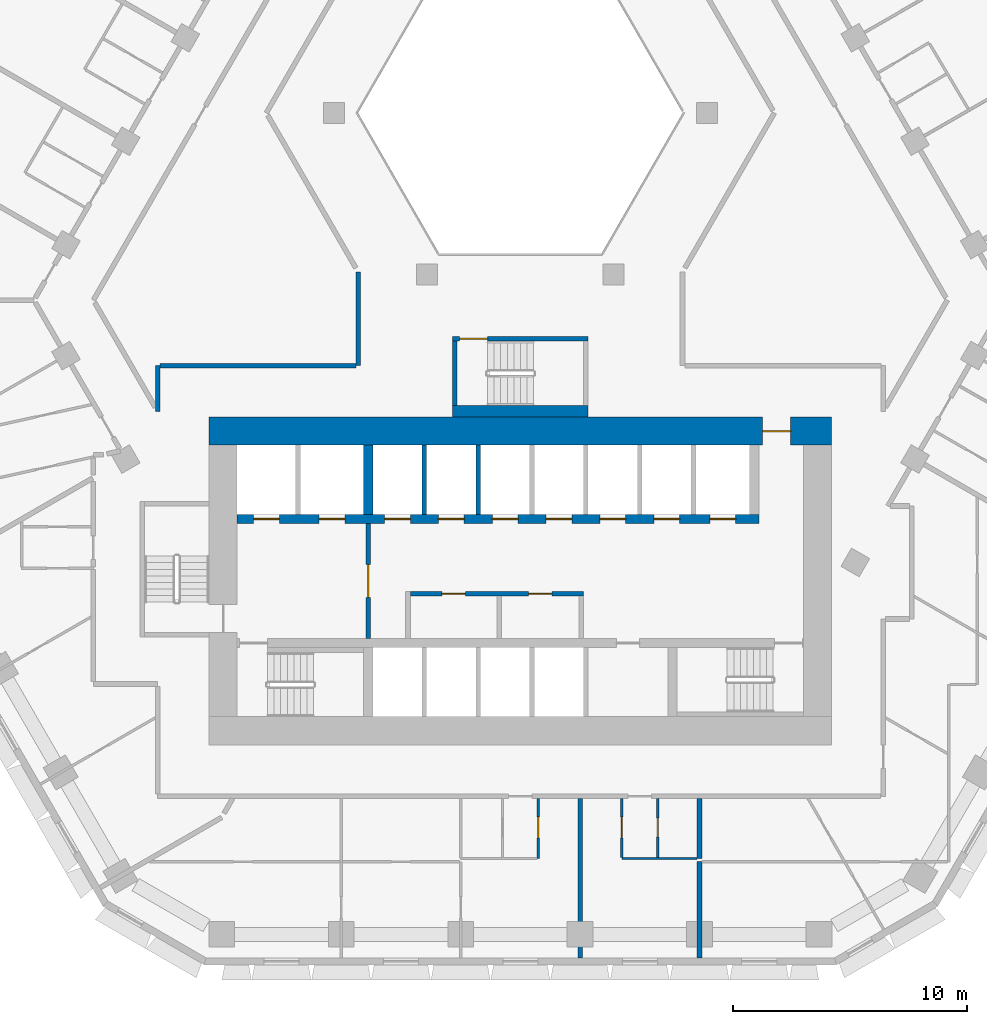
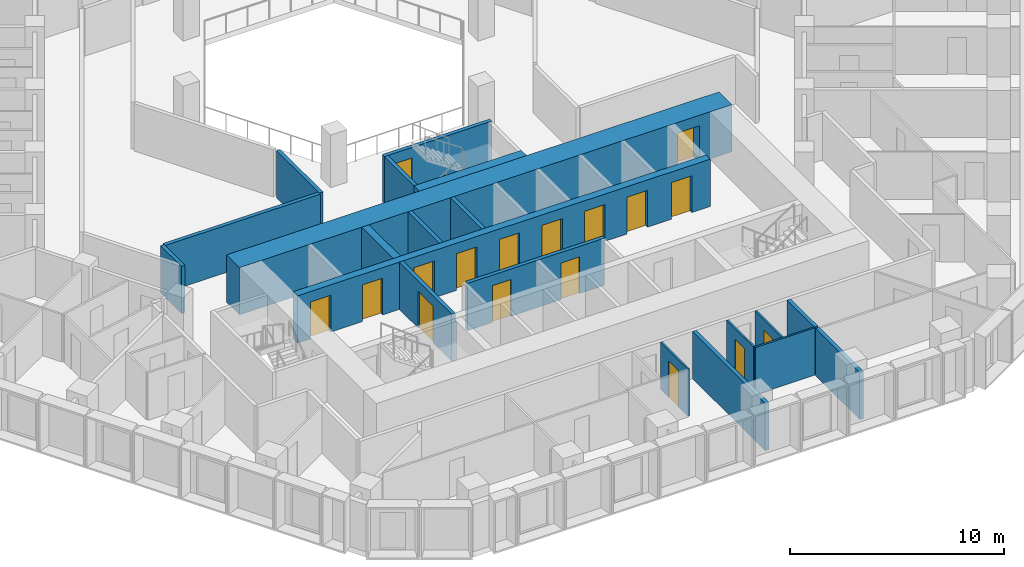
# One storey, part 5 of 16: 20 walls, 17 doors, 17 openings.
"""IFC4 building model written with IfcOpenShell, lengths in metres."""

from ifc_helpers import new_model, si_unit, direction, frame, frame_2d, origin, place, context, subcontext, project, spatial, rectangle, extrude, material, layer, layer_set, type_object, element, fill, save


model = new_model("IFC4")

# Units and contexts
model_context = context("Model", 3, precision=1e-05, world=origin(), true_north=direction((0.0, 1.0)))
body_context = subcontext(model_context, "Body", "Model", "MODEL_VIEW")
ifc_project = project(units=[si_unit("LENGTHUNIT", "METRE"), si_unit("AREAUNIT", "SQUARE_METRE"), si_unit("VOLUMEUNIT", "CUBIC_METRE"), si_unit("PLANEANGLEUNIT", "RADIAN"), si_unit("MASSUNIT", "GRAM", prefix="KILO")], contexts=[model_context])

# Site, building, storey
site_placement = place(None, origin())
site = spatial("IfcSite", under=ifc_project, at=site_placement, CompositionType="ELEMENT")
building_placement = place(site_placement, origin())
building = spatial("IfcBuilding", under=site, at=building_placement, Name="Beryl Residences", CompositionType="ELEMENT")
storey_placement = place(building_placement, frame((0.0, 0.0, 38.39990234375)))
storey = spatial("IfcBuildingStorey", under=building, at=storey_placement, Name="L11", CompositionType="ELEMENT", Elevation=38.39990234375)

# Wall, opening, door
ifc_material_1 = material(Name="Gypsum board partition on steel studs", Category="steel")
ifc_layer_1 = layer(ifc_material_1, 0.10009765625)
ifc_layer_set_1 = layer_set([ifc_layer_1], Name="PT1 partition 100 mm gypsum board on steel studs")
wall_type_1 = type_object("IfcWallType", Name="PT1 partition 100 mm gypsum board on steel studs", PredefinedType="PARTITIONING", material=ifc_layer_set_1)
wall_1_placement = place(storey_placement, frame((4.339111328125, -21.300048828125, 0.0), z_axis=(0.0, 0.0, 1.0), x_axis=(0.0, -1.0, 0.0)))
wall_1 = element("IfcWall", 1, at=wall_1_placement, inside=storey, type_object=wall_type_1, Name="Wall PT1 L11 012", PredefinedType="PARTITIONING", context=body_context, shape_type="SweptSolid", body=[
    extrude(rectangle(XDim=2.509033203125, YDim=0.10009765625, at=frame_2d((1.25439453125, 0.0))), origin(), (0.0, 0.0, 1.0), 2.7001953125),
])
opening_1_placement = place(wall_1_placement, frame((0.780029296875, 0.0, 0.0)))
opening_1 = element("IfcOpeningElement", 2, at=opening_1_placement, cuts=wall_1, Name="Opening D0432", PredefinedType="OPENING", context=body_context, shape_type="SweptSolid", body=[
    extrude(rectangle(XDim=0.89990234375, YDim=2.10009765625, at=frame_2d((0.449951171875, 1.050048828125))), frame((0.0, 0.06005859375, 0.0), z_axis=(0.0, -1.0, 0.0), x_axis=(1.0, 0.0, 0.0)), (0.0, 0.0, 1.0), 0.1201171875),
])
ifc_material_2 = material(Name="Timber door leaf", Category="wood")
door_type_1 = type_object("IfcDoorType", Name="D2 room door 900 x 2100 mm", OperationType="SINGLE_SWING_LEFT", PredefinedType="DOOR", material=ifc_material_2)
door_1_placement = place(opening_1_placement, origin())
door_1 = element("IfcDoor", 3, at=door_1_placement, inside=storey, type_object=door_type_1, Name="Door D0432 L11 001", OperationType="SINGLE_SWING_RIGHT", OverallHeight=2.10009765625, OverallWidth=0.89990234375, PredefinedType="DOOR", context=body_context, shape_type="SweptSolid", body=[
    extrude(rectangle(XDim=0.89990234375, YDim=2.10009765625, at=frame_2d((0.449951171875, 1.050048828125))), frame((0.0, 0.02490234375, 0.0), z_axis=(0.0, -1.0, 0.0), x_axis=(1.0, 0.0, 0.0)), (0.0, 0.0, 1.0), 0.050048828125),
])
fill(opening_1, door_1)

# Wall
wall_2_placement = place(storey_placement, frame((4.340087890625, -23.860107421875, 0.0), z_axis=(0.0, 0.0, 1.0), x_axis=(1.0, 0.0, 0.0)))
element("IfcWall", 4, at=wall_2_placement, inside=storey, type_object=wall_type_1, Name="Wall PT1 L11 031", PredefinedType="PARTITIONING", context=body_context, shape_type="SweptSolid", body=[
    extrude(rectangle(XDim=3.216796875, YDim=0.10009765625, at=frame_2d((1.6083984375, 0.0))), origin(), (0.0, 0.0, 1.0), 2.7001953125),
])

# Wall, opening, door
wall_3_placement = place(storey_placement, frame((5.87109375, -23.81005859375, 0.0), z_axis=(0.0, 0.0, 1.0), x_axis=(0.0, 1.0, 0.0)))
wall_3 = element("IfcWall", 5, at=wall_3_placement, inside=storey, type_object=wall_type_1, Name="Wall PT1 L11 044", PredefinedType="PARTITIONING", context=body_context, shape_type="SweptSolid", body=[
    extrude(rectangle(XDim=2.510009765625, YDim=0.10009765625, at=frame_2d((1.2548828125, 0.0))), origin(), (0.0, 0.0, 1.0), 2.7001953125),
])
opening_2_placement = place(wall_3_placement, frame((0.8798828125, 0.0, 0.0)))
opening_2 = element("IfcOpeningElement", 6, at=opening_2_placement, cuts=wall_3, Name="Opening D0433", PredefinedType="OPENING", context=body_context, shape_type="SweptSolid", body=[
    extrude(rectangle(XDim=0.800048828125, YDim=2.10009765625, at=frame_2d((0.39990234375, 1.050048828125))), frame((0.0, 0.06005859375, 0.0), z_axis=(0.0, -1.0, 0.0), x_axis=(1.0, 0.0, 0.0)), (0.0, 0.0, 1.0), 0.1201171875),
])
ifc_material_3 = material(Name="Timber door leaf", Category="wood")
door_type_2 = type_object("IfcDoorType", Name="D3 bathroom door 800 x 2100 mm", OperationType="SINGLE_SWING_LEFT", PredefinedType="DOOR", material=ifc_material_3)
door_2_placement = place(opening_2_placement, origin())
door_2 = element("IfcDoor", 7, at=door_2_placement, inside=storey, type_object=door_type_2, Name="Door D0433 L11 001", OperationType="SINGLE_SWING_LEFT", OverallHeight=2.10009765625, OverallWidth=0.800048828125, PredefinedType="DOOR", context=body_context, shape_type="SweptSolid", body=[
    extrude(rectangle(XDim=0.800048828125, YDim=2.10009765625, at=frame_2d((0.39990234375, 1.050048828125))), frame((0.0, 0.02490234375, 0.0), z_axis=(0.0, -1.0, 0.0), x_axis=(1.0, 0.0, 0.0)), (0.0, 0.0, 1.0), 0.050048828125),
])
fill(opening_2, door_2)

wall_4_placement = place(storey_placement, frame((0.76708984375, -23.85888671875, 0.0), z_axis=(0.0, 0.0, 1.0), x_axis=(0.0, 1.0, 0.0)))
wall_4 = element("IfcWall", 8, at=wall_4_placement, inside=storey, type_object=wall_type_1, Name="Wall PT1 L11 045", PredefinedType="PARTITIONING", context=body_context, shape_type="SweptSolid", body=[
    extrude(rectangle(XDim=2.558837890625, YDim=0.10009765625, at=frame_2d((1.279296875, 0.0))), origin(), (0.0, 0.0, 1.0), 2.7001953125),
])
opening_3_placement = place(wall_4_placement, frame((0.87890625, 0.0, 0.0)))
opening_3 = element("IfcOpeningElement", 9, at=opening_3_placement, cuts=wall_4, Name="Opening D0425", PredefinedType="OPENING", context=body_context, shape_type="SweptSolid", body=[
    extrude(rectangle(XDim=0.89990234375, YDim=2.10009765625, at=frame_2d((0.449951171875, 1.050048828125))), frame((0.0, 0.06005859375, 0.0), z_axis=(0.0, -1.0, 0.0), x_axis=(1.0, 0.0, 0.0)), (0.0, 0.0, 1.0), 0.1201171875),
])
door_3_placement = place(opening_3_placement, origin())
door_3 = element("IfcDoor", 10, at=door_3_placement, inside=storey, type_object=door_type_1, Name="Door D0425 L11 001", OperationType="SINGLE_SWING_LEFT", OverallHeight=2.10009765625, OverallWidth=0.89990234375, PredefinedType="DOOR", context=body_context, shape_type="SweptSolid", body=[
    extrude(rectangle(XDim=0.89990234375, YDim=2.10009765625, at=frame_2d((0.449951171875, 1.050048828125))), frame((0.0, 0.02490234375, 0.0), z_axis=(0.0, -1.0, 0.0), x_axis=(1.0, 0.0, 0.0)), (0.0, 0.0, 1.0), 0.050048828125),
])
fill(opening_3, door_3)

ifc_material_4 = material(Name="Concrete masonry", Category="masonry")
ifc_layer_2 = layer(ifc_material_4, 0.199951171875)
ifc_layer_set_2 = layer_set([ifc_layer_2], Name="PT13 lobby wall 200 mm")
wall_type_2 = type_object("IfcWallType", Name="PT13 lobby wall 200 mm", PredefinedType="PARTITIONING", material=ifc_layer_set_2)
wall_5_placement = place(storey_placement, frame((-6.5, -14.449951171875, 0.0), z_axis=(0.0, 0.0, 1.0), x_axis=(0.0, 1.0, 0.0)))
wall_5 = element("IfcWall", 11, at=wall_5_placement, inside=storey, type_object=wall_type_2, Name="Lobby wall 06", PredefinedType="PARTITIONING", context=body_context, shape_type="SweptSolid", body=[
    extrude(rectangle(XDim=4.89990234375, YDim=0.199951171875, at=frame_2d((2.449951171875, 0.0))), origin(), (0.0, 0.0, 1.0), 2.7001953125),
])
opening_4_placement = place(wall_5_placement, frame((3.14990234375, 0.0, 0.0), z_axis=(0.0, 0.0, 1.0), x_axis=(-1.0, 0.0, 0.0)))
opening_4 = element("IfcOpeningElement", 12, at=opening_4_placement, cuts=wall_5, Name="Opening FD-FFL", PredefinedType="OPENING", context=body_context, shape_type="SweptSolid", body=[
    extrude(rectangle(XDim=1.39990234375, YDim=2.10009765625, at=frame_2d((0.699951171875, 1.050048828125))), frame((0.0, 0.10986328125, 0.0), z_axis=(0.0, -1.0, 0.0), x_axis=(1.0, 0.0, 0.0)), (0.0, 0.0, 1.0), 0.219970703125),
])
ifc_material_5 = material(Name="Steel door leaf in steel frame", Category="steel")
door_type_3 = type_object("IfcDoorType", Name="D5 lobby door 1400 x 2100 mm", OperationType="DOUBLE_DOOR_SINGLE_SWING", PredefinedType="DOOR", material=ifc_material_5)
door_4_placement = place(opening_4_placement, origin())
door_4 = element("IfcDoor", 13, at=door_4_placement, inside=storey, type_object=door_type_3, Name="Door FD-FFL L11 001", OperationType="DOUBLE_DOOR_SINGLE_SWING", OverallHeight=2.10009765625, OverallWidth=1.39990234375, PredefinedType="DOOR", context=body_context, shape_type="SweptSolid", body=[
    extrude(rectangle(XDim=1.39990234375, YDim=2.10009765625, at=frame_2d((0.699951171875, 1.050048828125))), frame((0.0, 0.02490234375, 0.0), z_axis=(0.0, -1.0, 0.0), x_axis=(1.0, 0.0, 0.0)), (0.0, 0.0, 1.0), 0.050048828125),
])
fill(opening_4, door_4)

# Wall, openings, doors
wall_6_placement = place(storey_placement, frame((-4.699951171875, -12.550048828125, 0.0), z_axis=(0.0, 0.0, 1.0), x_axis=(1.0, 0.0, 0.0)))
wall_6 = element("IfcWall", 14, at=wall_6_placement, inside=storey, type_object=wall_type_2, Name="Lobby wall 08", PredefinedType="PARTITIONING", context=body_context, shape_type="SweptSolid", body=[
    extrude(rectangle(XDim=7.39990234375, YDim=0.199951171875, at=frame_2d((3.699951171875, 0.0))), origin(), (0.0, 0.0, 1.0), 2.7001953125),
])
opening_5_placement = place(wall_6_placement, frame((2.35009765625, 0.0, 0.0), z_axis=(0.0, 0.0, 1.0), x_axis=(-1.0, 0.0, 0.0)))
opening_5 = element("IfcOpeningElement", 15, at=opening_5_placement, cuts=wall_6, Name="Opening CD-D-A1", PredefinedType="OPENING", context=body_context, shape_type="SweptSolid", body=[
    extrude(rectangle(XDim=1.0, YDim=2.10009765625, at=frame_2d((0.5, 1.050048828125))), frame((0.0, 0.10986328125, 0.0), z_axis=(0.0, -1.0, 0.0), x_axis=(1.0, 0.0, 0.0)), (0.0, 0.0, 1.0), 0.219970703125),
])
opening_6_placement = place(wall_6_placement, frame((6.050048828125, 0.0, 0.0), z_axis=(0.0, 0.0, 1.0), x_axis=(-1.0, 0.0, 0.0)))
opening_6 = element("IfcOpeningElement", 16, at=opening_6_placement, cuts=wall_6, Name="Opening CD-D-A2", PredefinedType="OPENING", context=body_context, shape_type="SweptSolid", body=[
    extrude(rectangle(XDim=1.0, YDim=2.10009765625, at=frame_2d((0.5, 1.050048828125))), frame((0.0, 0.10986328125, 0.0), z_axis=(0.0, -1.0, 0.0), x_axis=(1.0, 0.0, 0.0)), (0.0, 0.0, 1.0), 0.219970703125),
])
ifc_material_6 = material(Name="Steel door leaf in steel frame", Category="steel")
door_type_4 = type_object("IfcDoorType", Name="D18 service room door 1000 x 2100 mm", OperationType="SINGLE_SWING_LEFT", PredefinedType="DOOR", material=ifc_material_6)
door_5_placement = place(opening_5_placement, origin())
door_5 = element("IfcDoor", 17, at=door_5_placement, inside=storey, type_object=door_type_4, Name="Door CD-D-A1 L11 001", OperationType="SINGLE_SWING_RIGHT", OverallHeight=2.10009765625, OverallWidth=1.0, PredefinedType="DOOR", context=body_context, shape_type="SweptSolid", body=[
    extrude(rectangle(XDim=1.0, YDim=2.10009765625, at=frame_2d((0.5, 1.050048828125))), frame((0.0, 0.02490234375, 0.0), z_axis=(0.0, -1.0, 0.0), x_axis=(1.0, 0.0, 0.0)), (0.0, 0.0, 1.0), 0.050048828125),
])
fill(opening_5, door_5)
door_6_placement = place(opening_6_placement, origin())
door_6 = element("IfcDoor", 18, at=door_6_placement, inside=storey, type_object=door_type_4, Name="Door CD-D-A2 L11 001", OperationType="SINGLE_SWING_LEFT", OverallHeight=2.10009765625, OverallWidth=1.0, PredefinedType="DOOR", context=body_context, shape_type="SweptSolid", body=[
    extrude(rectangle(XDim=1.0, YDim=2.10009765625, at=frame_2d((0.5, 1.050048828125))), frame((0.0, 0.02490234375, 0.0), z_axis=(0.0, -1.0, 0.0), x_axis=(1.0, 0.0, 0.0)), (0.0, 0.0, 1.0), 0.050048828125),
])
fill(opening_6, door_6)

# Walls
ifc_material_7 = material(Name="Acoustic double stud gypsum board wall")
ifc_layer_3 = layer(ifc_material_7, 0.199951171875)
ifc_layer_set_3 = layer_set([ifc_layer_3], Name="PT3 party wall 200 mm acoustic double stud")
wall_type_3 = type_object("IfcWallType", Name="PT3 party wall 200 mm acoustic double stud", PredefinedType="PARTITIONING", material=ifc_layer_set_3)
wall_7_placement = place(storey_placement, frame((2.552978515625, -21.300048828125, 0.0), z_axis=(0.0, 0.0, 1.0), x_axis=(0.0, -1.0, 0.0)))
element("IfcWall", 19, at=wall_7_placement, inside=storey, type_object=wall_type_3, Name="Wall PT3 L11 004", PredefinedType="PARTITIONING", context=body_context, shape_type="SweptSolid", body=[
    extrude(rectangle(XDim=6.800048828125, YDim=0.199951171875, at=frame_2d((3.39990234375, 0.0))), origin(), (0.0, 0.0, 1.0), 2.7001953125),
])
wall_8_placement = place(storey_placement, frame((7.656982421875, -28.10009765625, 0.0), z_axis=(0.0, 0.0, 1.0), x_axis=(0.0, 1.0, 0.0)))
element("IfcWall", 20, at=wall_8_placement, inside=storey, type_object=wall_type_3, Name="Wall PT3 L11 015", PredefinedType="PARTITIONING", context=body_context, shape_type="SweptSolid", body=[
    extrude(rectangle(XDim=4.1201171875, YDim=0.199951171875, at=frame_2d((2.06005859375, 0.0))), origin(), (0.0, 0.0, 1.0), 2.7001953125),
])
wall_9_placement = place(storey_placement, frame((7.656982421875, -23.860107421875, 0.0), z_axis=(0.0, 0.0, 1.0), x_axis=(0.0, 1.0, 0.0)))
element("IfcWall", 21, at=wall_9_placement, inside=storey, type_object=wall_type_3, Name="Wall PT3 L11 016", PredefinedType="PARTITIONING", context=body_context, shape_type="SweptSolid", body=[
    extrude(rectangle(XDim=2.56005859375, YDim=0.199951171875, at=frame_2d((1.280029296875, 0.0))), origin(), (0.0, 0.0, 1.0), 2.7001953125),
])
ifc_material_8 = material(Name="Double stud gypsum board wall")
ifc_layer_4 = layer(ifc_material_8, 0.199951171875)
ifc_layer_set_4 = layer_set([ifc_layer_4], Name="PT4 corridor wall 200 mm double stud")
wall_type_4 = type_object("IfcWallType", Name="PT4 corridor wall 200 mm double stud", PredefinedType="PARTITIONING", material=ifc_layer_set_4)
wall_10_placement = place(storey_placement, frame((-15.39990234375, -2.800048828125, 0.0), z_axis=(0.0, 0.0, 1.0), x_axis=(1.0, 0.0, 0.0)))
element("IfcWall", 22, at=wall_10_placement, inside=storey, type_object=wall_type_4, Name="Wall PT4 L11 014", PredefinedType="PARTITIONING", context=body_context, shape_type="SweptSolid", body=[
    extrude(rectangle(XDim=8.371826171875, YDim=0.199951171875, at=frame_2d((4.18603515625, 0.0))), origin(), (0.0, 0.0, 1.0), 2.7001953125),
])
wall_11_placement = place(storey_placement, frame((-6.927978515625, -2.800048828125, 0.0), z_axis=(0.0, 0.0, 1.0), x_axis=(0.0, 1.0, 0.0)))
element("IfcWall", 23, at=wall_11_placement, inside=storey, type_object=wall_type_4, Name="Wall PT4 L11 029", PredefinedType="PARTITIONING", context=body_context, shape_type="SweptSolid", body=[
    extrude(rectangle(XDim=4.0, YDim=0.199951171875, at=frame_2d((2.0, 0.0))), origin(), (0.0, 0.0, 1.0), 2.7001953125),
])
wall_12_placement = place(storey_placement, frame((-15.5, -4.75390625, 0.0), z_axis=(0.0, 0.0, 1.0), x_axis=(0.0, 1.0, 0.0)))
element("IfcWall", 24, at=wall_12_placement, inside=storey, type_object=wall_type_4, Name="Wall PT4 L11 030", PredefinedType="PARTITIONING", context=body_context, shape_type="SweptSolid", body=[
    extrude(rectangle(XDim=1.953857421875, YDim=0.199951171875, at=frame_2d((0.97705078125, 0.0))), origin(), (0.0, 0.0, 1.0), 2.7001953125),
])

# Wall, opening, door
ifc_material_9 = material(Name="Concrete C40/50", Category="concrete")
ifc_layer_5 = layer(ifc_material_9, 0.199951171875)
ifc_layer_set_5 = layer_set([ifc_layer_5], Name="PT5 stair enclosure wall 200 mm reinforced concrete C40/50")
wall_type_5 = type_object("IfcWallType", Name="PT5 stair enclosure wall 200 mm reinforced concrete C40/50", PredefinedType="SOLIDWALL", material=ifc_layer_set_5)
wall_13_placement = place(storey_placement, frame((-2.89990234375, -1.64990234375, 0.0), z_axis=(0.0, 0.0, 1.0), x_axis=(1.0, 0.0, 0.0)))
wall_13 = element("IfcWall", 25, at=wall_13_placement, inside=storey, type_object=wall_type_5, Name="Wall PT5 L11 001", PredefinedType="SOLIDWALL", context=body_context, shape_type="SweptSolid", body=[
    extrude(rectangle(XDim=5.7998046875, YDim=0.199951171875, at=frame_2d((2.89990234375, 0.0))), origin(), (0.0, 0.0, 1.0), 2.7001953125),
])
opening_7_placement = place(wall_13_placement, frame((0.300048828125, 0.0, 0.0)))
opening_7 = element("IfcOpeningElement", 26, at=opening_7_placement, cuts=wall_13, Name="Opening DS04", PredefinedType="OPENING", context=body_context, shape_type="SweptSolid", body=[
    extrude(rectangle(XDim=1.199951171875, YDim=2.10009765625, at=frame_2d((0.60009765625, 1.050048828125))), frame((0.0, 0.10986328125, 0.0), z_axis=(0.0, -1.0, 0.0), x_axis=(1.0, 0.0, 0.0)), (0.0, 0.0, 1.0), 0.219970703125),
])
ifc_material_10 = material(Name="Steel door leaf in steel frame", Category="steel")
door_type_5 = type_object("IfcDoorType", Name="D4 stair door 1200 x 2100 mm", OperationType="SINGLE_SWING_LEFT", PredefinedType="DOOR", material=ifc_material_10)
door_7_placement = place(opening_7_placement, origin())
door_7 = element("IfcDoor", 27, at=door_7_placement, inside=storey, type_object=door_type_5, Name="Door DS04 L11 001", OperationType="SINGLE_SWING_LEFT", OverallHeight=2.10009765625, OverallWidth=1.199951171875, PredefinedType="DOOR", context=body_context, shape_type="SweptSolid", body=[
    extrude(rectangle(XDim=1.199951171875, YDim=2.10009765625, at=frame_2d((0.60009765625, 1.050048828125))), frame((0.0, 0.02490234375, 0.0), z_axis=(0.0, -1.0, 0.0), x_axis=(1.0, 0.0, 0.0)), (0.0, 0.0, 1.0), 0.050048828125),
])
fill(opening_7, door_7)

# Walls
wall_14_placement = place(storey_placement, frame((-2.800048828125, -4.5, 0.0), z_axis=(0.0, 0.0, 1.0), x_axis=(0.0, 1.0, 0.0)))
element("IfcWall", 28, at=wall_14_placement, inside=storey, type_object=wall_type_5, Name="Wall PT5 L11 002", PredefinedType="SOLIDWALL", context=body_context, shape_type="SweptSolid", body=[
    extrude(rectangle(XDim=2.75, YDim=0.199951171875, at=frame_2d((1.375, 0.0))), origin(), (0.0, 0.0, 1.0), 2.7001953125),
])
ifc_material_11 = material(Name="Concrete C40/50", Category="concrete")
ifc_layer_6 = layer(ifc_material_11, 0.5)
ifc_layer_set_6 = layer_set([ifc_layer_6], Name="PT5-500 stair enclosure wall 500 mm")
wall_type_6 = type_object("IfcWallType", Name="PT5-500 stair enclosure wall 500 mm", PredefinedType="SOLIDWALL", material=ifc_layer_set_6)
wall_15_placement = place(storey_placement, frame((-2.89990234375, -4.75, 0.0), z_axis=(0.0, 0.0, 1.0), x_axis=(1.0, 0.0, 0.0)))
element("IfcWall", 29, at=wall_15_placement, inside=storey, type_object=wall_type_6, Name="Wall PT5-500 L11 001", PredefinedType="SOLIDWALL", context=body_context, shape_type="SweptSolid", body=[
    extrude(rectangle(XDim=5.7998046875, YDim=0.5, at=frame_2d((2.89990234375, 0.0))), origin(), (0.0, 0.0, 1.0), 2.7001953125),
])
ifc_material_12 = material(Name="Concrete C40/50", Category="concrete")
ifc_layer_7 = layer(ifc_material_12, 0.199951171875)
ifc_layer_set_7 = layer_set([ifc_layer_7], Name="PT6 lift shaft wall 200 mm reinforced concrete C40/50")
wall_type_7 = type_object("IfcWallType", Name="PT6 lift shaft wall 200 mm reinforced concrete C40/50", PredefinedType="SOLIDWALL", material=ifc_layer_set_7)
for number, where, z_axis, x_axis, name in (
    (30, (-4.10009765625, -9.14990234375, 0.0), (0.0, 0.0, 1.0), (0.0, 1.0, 0.0), "Lift shaft wall 10"),
    (31, (-1.800048828125, -9.14990234375, 0.0), (0.0, 0.0, 1.0), (0.0, 1.0, 0.0), "Lift shaft wall 12"),
):
    element("IfcWall", number, at=place(storey_placement, frame(where, z_axis=z_axis, x_axis=x_axis)), inside=storey, type_object=wall_type_7, Name=name, PredefinedType="SOLIDWALL", context=body_context, shape_type="SweptSolid", body=[
        extrude(rectangle(XDim=2.949951171875, YDim=0.199951171875, at=frame_2d((1.47509765625, 0.0))), origin(), (0.0, 0.0, 1.0), 2.7001953125),
    ])

# Wall, opening, door
ifc_material_13 = material(Name="Concrete C80/95", Category="concrete")
ifc_layer_8 = layer(ifc_material_13, 1.199951171875)
ifc_layer_set_8 = layer_set([ifc_layer_8], Name="SW1 core outer wall 1200 mm C80/95")
wall_type_8 = type_object("IfcWallType", Name="SW1 core outer wall 1200 mm C80/95", PredefinedType="SHEAR", material=ifc_layer_set_8)
wall_16_placement = place(storey_placement, frame((-13.300048828125, -5.60009765625, 0.0), z_axis=(0.0, 0.0, 1.0), x_axis=(1.0, 0.0, 0.0)))
wall_16 = element("IfcWall", 32, at=wall_16_placement, inside=storey, type_object=wall_type_8, Name="Core wall N L11", PredefinedType="SHEAR", context=body_context, shape_type="SweptSolid", body=[
    extrude(rectangle(XDim=26.60009765625, YDim=1.199951171875, at=frame_2d((13.300048828125, 0.0))), origin(), (0.0, 0.0, 1.0), 2.7001953125),
])
opening_8_placement = place(wall_16_placement, frame((23.64990234375, 0.0, 0.0)))
opening_8 = element("IfcOpeningElement", 33, at=opening_8_placement, cuts=wall_16, Name="Opening FD-NORTH", PredefinedType="OPENING", context=body_context, shape_type="SweptSolid", body=[
    extrude(rectangle(XDim=1.199951171875, YDim=2.10009765625, at=frame_2d((0.60009765625, 1.050048828125))), frame((0.0, 0.60986328125, 0.0), z_axis=(0.0, -1.0, 0.0), x_axis=(1.0, 0.0, 0.0)), (0.0, 0.0, 1.0), 1.219970703125),
])
ifc_material_14 = material(Name="Steel door leaf in steel frame", Category="steel")
door_type_6 = type_object("IfcDoorType", Name="D22 lobby door 1200 x 2100 mm", OperationType="DOUBLE_DOOR_SINGLE_SWING", PredefinedType="DOOR", material=ifc_material_14)
door_8_placement = place(opening_8_placement, origin())
door_8 = element("IfcDoor", 34, at=door_8_placement, inside=storey, type_object=door_type_6, Name="Door FD-NORTH L11 001", OperationType="DOUBLE_DOOR_SINGLE_SWING", OverallHeight=2.10009765625, OverallWidth=1.199951171875, PredefinedType="DOOR", context=body_context, shape_type="SweptSolid", body=[
    extrude(rectangle(XDim=1.199951171875, YDim=2.10009765625, at=frame_2d((0.60009765625, 1.050048828125))), frame((0.0, 0.02490234375, 0.0), z_axis=(0.0, -1.0, 0.0), x_axis=(1.0, 0.0, 0.0)), (0.0, 0.0, 1.0), 0.050048828125),
])
fill(opening_8, door_8)

# Wall, openings, doors
ifc_material_15 = material(Name="Concrete C80/95", Category="concrete")
ifc_layer_9 = layer(ifc_material_15, 0.39990234375)
ifc_layer_set_9 = layer_set([ifc_layer_9], Name="SW6 core internal wall 400 mm C80/95")
wall_type_9 = type_object("IfcWallType", Name="SW6 core internal wall 400 mm C80/95", PredefinedType="SHEAR", material=ifc_layer_set_9)
wall_17_placement = place(storey_placement, frame((-12.10009765625, -9.35009765625, 0.0), z_axis=(0.0, 0.0, 1.0), x_axis=(1.0, 0.0, 0.0)))
wall_17 = element("IfcWall", 35, at=wall_17_placement, inside=storey, type_object=wall_type_9, Name="Core wall SP2 L11", PredefinedType="SHEAR", context=body_context, shape_type="SweptSolid", body=[
    extrude(rectangle(XDim=22.300048828125, YDim=0.39990234375, at=frame_2d((11.14990234375, 0.0))), origin(), (0.0, 0.0, 1.0), 2.7001953125),
])
opening_9_placement = place(wall_17_placement, frame((0.699951171875, 0.0, 0.0)))
opening_9 = element("IfcOpeningElement", 36, at=opening_9_placement, cuts=wall_17, Name="Opening LD-FF1", PredefinedType="OPENING", context=body_context, shape_type="SweptSolid", body=[
    extrude(rectangle(XDim=1.10009765625, YDim=2.10009765625, at=frame_2d((0.550048828125, 1.050048828125))), frame((0.0, 0.2099609375, 0.0), z_axis=(0.0, -1.0, 0.0), x_axis=(1.0, 0.0, 0.0)), (0.0, 0.0, 1.0), 0.419921875),
])
opening_10_placement = place(wall_17_placement, frame((3.5, 0.0, 0.0)))
opening_10 = element("IfcOpeningElement", 37, at=opening_10_placement, cuts=wall_17, Name="Opening LD-FF2", PredefinedType="OPENING", context=body_context, shape_type="SweptSolid", body=[
    extrude(rectangle(XDim=1.10009765625, YDim=2.10009765625, at=frame_2d((0.550048828125, 1.050048828125))), frame((0.0, 0.2099609375, 0.0), z_axis=(0.0, -1.0, 0.0), x_axis=(1.0, 0.0, 0.0)), (0.0, 0.0, 1.0), 0.419921875),
])
opening_11_placement = place(wall_17_placement, frame((6.300048828125, 0.0, 0.0)))
opening_11 = element("IfcOpeningElement", 38, at=opening_11_placement, cuts=wall_17, Name="Opening LD-LR1", PredefinedType="OPENING", context=body_context, shape_type="SweptSolid", body=[
    extrude(rectangle(XDim=1.10009765625, YDim=2.10009765625, at=frame_2d((0.550048828125, 1.050048828125))), frame((0.0, 0.2099609375, 0.0), z_axis=(0.0, -1.0, 0.0), x_axis=(1.0, 0.0, 0.0)), (0.0, 0.0, 1.0), 0.419921875),
])
opening_12_placement = place(wall_17_placement, frame((8.60009765625, 0.0, 0.0)))
opening_12 = element("IfcOpeningElement", 39, at=opening_12_placement, cuts=wall_17, Name="Opening LD-LR2", PredefinedType="OPENING", context=body_context, shape_type="SweptSolid", body=[
    extrude(rectangle(XDim=1.10009765625, YDim=2.10009765625, at=frame_2d((0.550048828125, 1.050048828125))), frame((0.0, 0.2099609375, 0.0), z_axis=(0.0, -1.0, 0.0), x_axis=(1.0, 0.0, 0.0)), (0.0, 0.0, 1.0), 0.419921875),
])
opening_13_placement = place(wall_17_placement, frame((10.89990234375, 0.0, 0.0)))
opening_13 = element("IfcOpeningElement", 40, at=opening_13_placement, cuts=wall_17, Name="Opening LD-LR3", PredefinedType="OPENING", context=body_context, shape_type="SweptSolid", body=[
    extrude(rectangle(XDim=1.10009765625, YDim=2.10009765625, at=frame_2d((0.550048828125, 1.050048828125))), frame((0.0, 0.2099609375, 0.0), z_axis=(0.0, -1.0, 0.0), x_axis=(1.0, 0.0, 0.0)), (0.0, 0.0, 1.0), 0.419921875),
])
opening_14_placement = place(wall_17_placement, frame((13.199951171875, 0.0, 0.0)))
opening_14 = element("IfcOpeningElement", 41, at=opening_14_placement, cuts=wall_17, Name="Opening LD-LR4", PredefinedType="OPENING", context=body_context, shape_type="SweptSolid", body=[
    extrude(rectangle(XDim=1.10009765625, YDim=2.10009765625, at=frame_2d((0.550048828125, 1.050048828125))), frame((0.0, 0.2099609375, 0.0), z_axis=(0.0, -1.0, 0.0), x_axis=(1.0, 0.0, 0.0)), (0.0, 0.0, 1.0), 0.419921875),
])
opening_15_placement = place(wall_17_placement, frame((15.5, 0.0, 0.0)))
opening_15 = element("IfcOpeningElement", 42, at=opening_15_placement, cuts=wall_17, Name="Opening LD-LR5", PredefinedType="OPENING", context=body_context, shape_type="SweptSolid", body=[
    extrude(rectangle(XDim=1.10009765625, YDim=2.10009765625, at=frame_2d((0.550048828125, 1.050048828125))), frame((0.0, 0.2099609375, 0.0), z_axis=(0.0, -1.0, 0.0), x_axis=(1.0, 0.0, 0.0)), (0.0, 0.0, 1.0), 0.419921875),
])
opening_16_placement = place(wall_17_placement, frame((17.800048828125, 0.0, 0.0)))
opening_16 = element("IfcOpeningElement", 43, at=opening_16_placement, cuts=wall_17, Name="Opening LD-LR6", PredefinedType="OPENING", context=body_context, shape_type="SweptSolid", body=[
    extrude(rectangle(XDim=1.10009765625, YDim=2.10009765625, at=frame_2d((0.550048828125, 1.050048828125))), frame((0.0, 0.2099609375, 0.0), z_axis=(0.0, -1.0, 0.0), x_axis=(1.0, 0.0, 0.0)), (0.0, 0.0, 1.0), 0.419921875),
])
opening_17_placement = place(wall_17_placement, frame((20.199951171875, 0.0, 0.0)))
opening_17 = element("IfcOpeningElement", 44, at=opening_17_placement, cuts=wall_17, Name="Opening LD-SL1", PredefinedType="OPENING", context=body_context, shape_type="SweptSolid", body=[
    extrude(rectangle(XDim=1.10009765625, YDim=2.10009765625, at=frame_2d((0.550048828125, 1.050048828125))), frame((0.0, 0.2099609375, 0.0), z_axis=(0.0, -1.0, 0.0), x_axis=(1.0, 0.0, 0.0)), (0.0, 0.0, 1.0), 0.419921875),
])
ifc_material_16 = material(Name="Stainless steel sliding door", Category="steel")
door_type_7 = type_object("IfcDoorType", Name="LD1 lift landing door 1100 x 2100 mm", OperationType="DOUBLE_DOOR_SLIDING", PredefinedType="DOOR", material=ifc_material_16)
door_9_placement = place(opening_9_placement, origin())
door_9 = element("IfcDoor", 45, at=door_9_placement, inside=storey, type_object=door_type_7, Name="Lift landing door FF1", OperationType="DOUBLE_DOOR_SLIDING", OverallHeight=2.10009765625, OverallWidth=1.10009765625, PredefinedType="DOOR", context=body_context, shape_type="SweptSolid", body=[
    extrude(rectangle(XDim=1.10009765625, YDim=2.10009765625, at=frame_2d((0.550048828125, 1.050048828125))), frame((0.0, 0.02490234375, 0.0), z_axis=(0.0, -1.0, 0.0), x_axis=(1.0, 0.0, 0.0)), (0.0, 0.0, 1.0), 0.050048828125),
])
fill(opening_9, door_9)
door_10_placement = place(opening_10_placement, origin())
door_10 = element("IfcDoor", 46, at=door_10_placement, inside=storey, type_object=door_type_7, Name="Lift landing door FF2", OperationType="DOUBLE_DOOR_SLIDING", OverallHeight=2.10009765625, OverallWidth=1.10009765625, PredefinedType="DOOR", context=body_context, shape_type="SweptSolid", body=[
    extrude(rectangle(XDim=1.10009765625, YDim=2.10009765625, at=frame_2d((0.550048828125, 1.050048828125))), frame((0.0, 0.02490234375, 0.0), z_axis=(0.0, -1.0, 0.0), x_axis=(1.0, 0.0, 0.0)), (0.0, 0.0, 1.0), 0.050048828125),
])
fill(opening_10, door_10)
door_11_placement = place(opening_11_placement, origin())
door_11 = element("IfcDoor", 47, at=door_11_placement, inside=storey, type_object=door_type_7, Name="Lift landing door LR1", OperationType="DOUBLE_DOOR_SLIDING", OverallHeight=2.10009765625, OverallWidth=1.10009765625, PredefinedType="DOOR", context=body_context, shape_type="SweptSolid", body=[
    extrude(rectangle(XDim=1.10009765625, YDim=2.10009765625, at=frame_2d((0.550048828125, 1.050048828125))), frame((0.0, 0.02490234375, 0.0), z_axis=(0.0, -1.0, 0.0), x_axis=(1.0, 0.0, 0.0)), (0.0, 0.0, 1.0), 0.050048828125),
])
fill(opening_11, door_11)
door_12_placement = place(opening_12_placement, origin())
door_12 = element("IfcDoor", 48, at=door_12_placement, inside=storey, type_object=door_type_7, Name="Lift landing door LR2", OperationType="DOUBLE_DOOR_SLIDING", OverallHeight=2.10009765625, OverallWidth=1.10009765625, PredefinedType="DOOR", context=body_context, shape_type="SweptSolid", body=[
    extrude(rectangle(XDim=1.10009765625, YDim=2.10009765625, at=frame_2d((0.550048828125, 1.050048828125))), frame((0.0, 0.02490234375, 0.0), z_axis=(0.0, -1.0, 0.0), x_axis=(1.0, 0.0, 0.0)), (0.0, 0.0, 1.0), 0.050048828125),
])
fill(opening_12, door_12)
door_13_placement = place(opening_13_placement, origin())
door_13 = element("IfcDoor", 49, at=door_13_placement, inside=storey, type_object=door_type_7, Name="Lift landing door LR3", OperationType="DOUBLE_DOOR_SLIDING", OverallHeight=2.10009765625, OverallWidth=1.10009765625, PredefinedType="DOOR", context=body_context, shape_type="SweptSolid", body=[
    extrude(rectangle(XDim=1.10009765625, YDim=2.10009765625, at=frame_2d((0.550048828125, 1.050048828125))), frame((0.0, 0.02490234375, 0.0), z_axis=(0.0, -1.0, 0.0), x_axis=(1.0, 0.0, 0.0)), (0.0, 0.0, 1.0), 0.050048828125),
])
fill(opening_13, door_13)
door_14_placement = place(opening_14_placement, origin())
door_14 = element("IfcDoor", 50, at=door_14_placement, inside=storey, type_object=door_type_7, Name="Lift landing door LR4", OperationType="DOUBLE_DOOR_SLIDING", OverallHeight=2.10009765625, OverallWidth=1.10009765625, PredefinedType="DOOR", context=body_context, shape_type="SweptSolid", body=[
    extrude(rectangle(XDim=1.10009765625, YDim=2.10009765625, at=frame_2d((0.550048828125, 1.050048828125))), frame((0.0, 0.02490234375, 0.0), z_axis=(0.0, -1.0, 0.0), x_axis=(1.0, 0.0, 0.0)), (0.0, 0.0, 1.0), 0.050048828125),
])
fill(opening_14, door_14)
door_15_placement = place(opening_15_placement, origin())
door_15 = element("IfcDoor", 51, at=door_15_placement, inside=storey, type_object=door_type_7, Name="Lift landing door LR5", OperationType="DOUBLE_DOOR_SLIDING", OverallHeight=2.10009765625, OverallWidth=1.10009765625, PredefinedType="DOOR", context=body_context, shape_type="SweptSolid", body=[
    extrude(rectangle(XDim=1.10009765625, YDim=2.10009765625, at=frame_2d((0.550048828125, 1.050048828125))), frame((0.0, 0.02490234375, 0.0), z_axis=(0.0, -1.0, 0.0), x_axis=(1.0, 0.0, 0.0)), (0.0, 0.0, 1.0), 0.050048828125),
])
fill(opening_15, door_15)
door_16_placement = place(opening_16_placement, origin())
door_16 = element("IfcDoor", 52, at=door_16_placement, inside=storey, type_object=door_type_7, Name="Lift landing door LR6", OperationType="DOUBLE_DOOR_SLIDING", OverallHeight=2.10009765625, OverallWidth=1.10009765625, PredefinedType="DOOR", context=body_context, shape_type="SweptSolid", body=[
    extrude(rectangle(XDim=1.10009765625, YDim=2.10009765625, at=frame_2d((0.550048828125, 1.050048828125))), frame((0.0, 0.02490234375, 0.0), z_axis=(0.0, -1.0, 0.0), x_axis=(1.0, 0.0, 0.0)), (0.0, 0.0, 1.0), 0.050048828125),
])
fill(opening_16, door_16)
door_17_placement = place(opening_17_placement, origin())
door_17 = element("IfcDoor", 53, at=door_17_placement, inside=storey, type_object=door_type_7, Name="Lift landing door SL1", OperationType="DOUBLE_DOOR_SLIDING", OverallHeight=2.10009765625, OverallWidth=1.10009765625, PredefinedType="DOOR", context=body_context, shape_type="SweptSolid", body=[
    extrude(rectangle(XDim=1.10009765625, YDim=2.10009765625, at=frame_2d((0.550048828125, 1.050048828125))), frame((0.0, 0.02490234375, 0.0), z_axis=(0.0, -1.0, 0.0), x_axis=(1.0, 0.0, 0.0)), (0.0, 0.0, 1.0), 0.050048828125),
])
fill(opening_17, door_17)

# Wall
wall_18_placement = place(storey_placement, frame((-6.5, -9.14990234375, 0.0), z_axis=(0.0, 0.0, 1.0), x_axis=(0.0, 1.0, 0.0)))
element("IfcWall", 54, at=wall_18_placement, inside=storey, type_object=wall_type_9, Name="Core wall XN1 L11", PredefinedType="SHEAR", context=body_context, shape_type="SweptSolid", body=[
    extrude(rectangle(XDim=2.949951171875, YDim=0.39990234375, at=frame_2d((1.47509765625, 0.0))), origin(), (0.0, 0.0, 1.0), 2.7001953125),
])

save(model, "model.ifc")
